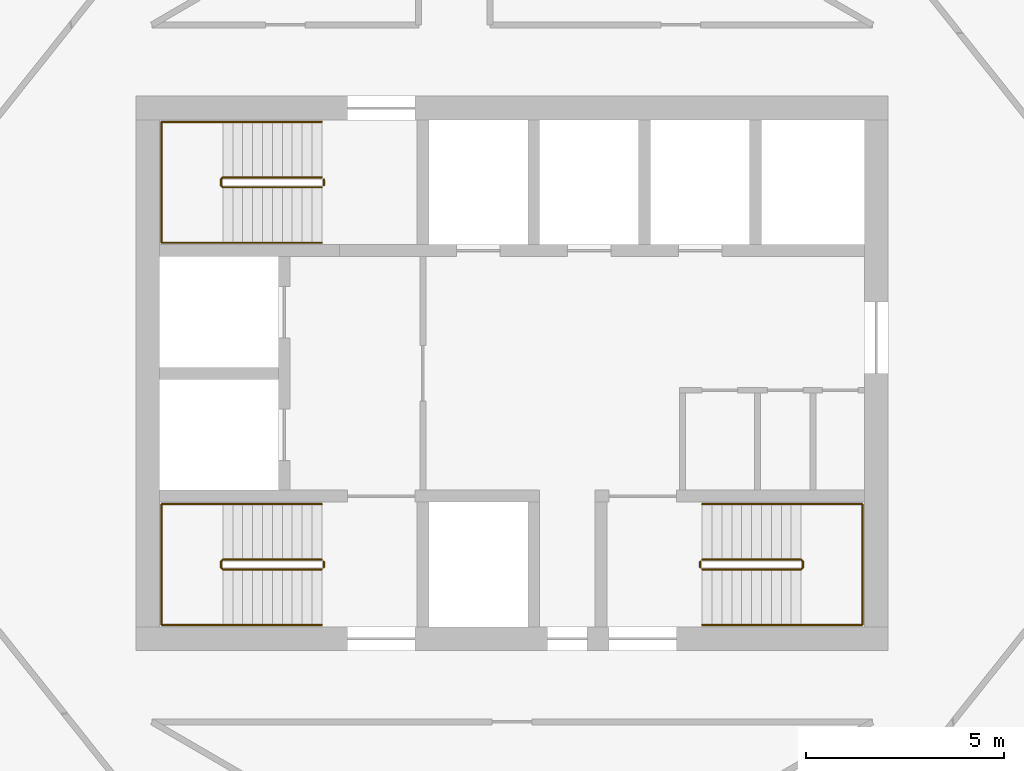
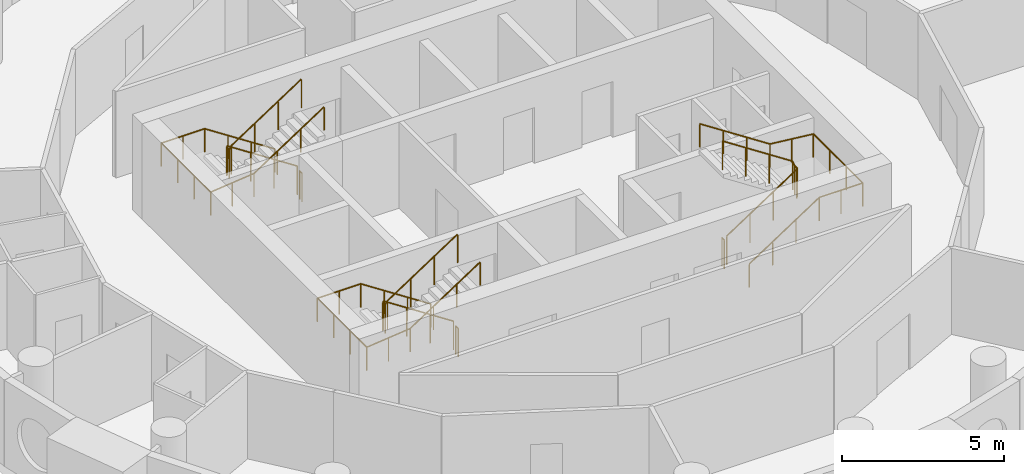
# One storey, part 12 of 12: 9 railings.
"""IFC4 building model written with IfcOpenShell, lengths in metres."""

from ifc_helpers import new_model, si_unit, direction, frame, origin, origin_2d, place, context, subcontext, project, spatial, circle, extrude, material, type_object, element, save


model = new_model("IFC4")

# Units and contexts
model_context = context("Model", 3, precision=1e-05, world=origin(), true_north=direction((0.0, 1.0)))
body_context = subcontext(model_context, "Body", "Model", "MODEL_VIEW")
ifc_project = project(units=[si_unit("LENGTHUNIT", "METRE"), si_unit("AREAUNIT", "SQUARE_METRE"), si_unit("VOLUMEUNIT", "CUBIC_METRE"), si_unit("PLANEANGLEUNIT", "RADIAN"), si_unit("MASSUNIT", "GRAM", prefix="KILO")], contexts=[model_context])

# Site, building, storey
site_placement = place(None, origin())
site = spatial("IfcSite", under=ifc_project, at=site_placement, CompositionType="ELEMENT")
building_placement = place(site_placement, origin())
building = spatial("IfcBuilding", under=site, at=building_placement, Name="Tracery Tower", CompositionType="ELEMENT")
storey_placement = place(building_placement, frame((0.0, 0.0, 245.39990234375)))
storey = spatial("IfcBuildingStorey", under=building, at=storey_placement, Name="L63", CompositionType="ELEMENT", Elevation=245.39990234375)

# Railings
ifc_material_1 = material(Name="Stainless steel and laminated glass", Category="steel")
railing_type_1 = type_object("IfcRailingType", Name="Stair guard 1100", PredefinedType="GUARDRAIL", material=ifc_material_1)
railing_1_placement = place(storey_placement, frame((-4.800048828125, -4.699951171875, 0.163818359375)))
element("IfcRailing", 1, at=railing_1_placement, inside=storey, type_object=railing_type_1, Name="L63 stair ST1 guard 1", PredefinedType="GUARDRAIL", context=body_context, shape_type="SweptSolid", body=[
    extrude(circle(Radius=0.02392578125, at=origin_2d()), frame((0.0, 0.0, 1.076171875), z_axis=(-0.836721939367, 0.0, 0.547627972425), x_axis=(0.0, -1.0, 0.0)), (0.0, 0.0, 1.0), 2.98779296875),
    extrude(circle(Radius=0.02392578125, at=origin_2d()), frame((-2.5, 0.0, 2.71240234375), z_axis=(-0.707106781187, -0.707106781187, 0.0), x_axis=(0.707106781187, -0.707106781187, 0.0)), (0.0, 0.0, 1.0), 0.07080078125),
    extrude(circle(Radius=0.02392578125, at=origin_2d()), frame((-2.550048828125, -0.050048828125, 2.71240234375), z_axis=(0.0, -1.0, 0.0), x_axis=(1.0, 0.0, 0.0)), (0.0, 0.0, 1.0), 0.14990234375),
    extrude(circle(Radius=0.02392578125, at=origin_2d()), frame((-2.550048828125, -0.199951171875, 2.71240234375), z_axis=(0.280808744504, -0.280808744504, 0.917765164963), x_axis=(0.707106781187, 0.707106781187, 0.0)), (0.0, 0.0, 1.0), 0.17822265625),
    extrude(circle(Radius=0.02392578125, at=origin_2d()), frame((-2.5, -0.25, 2.8759765625), z_axis=(0.83668449804, 0.0, 0.54768517484), x_axis=(0.0, 1.0, 0.0)), (0.0, 0.0, 1.0), 2.988037109375),
    extrude(circle(Radius=0.02099609375, at=origin_2d()), origin(), (0.0, 0.0, 1.0), 1.052001953125),
    extrude(circle(Radius=0.02099609375, at=origin_2d()), frame((-0.833251953125, 0.0, 0.54541015625)), (0.0, 0.0, 1.0), 1.052001953125),
    extrude(circle(Radius=0.02099609375, at=origin_2d()), frame((-1.666748046875, 0.0, 1.0908203125)), (0.0, 0.0, 1.0), 1.052001953125),
    extrude(circle(Radius=0.02099609375, at=origin_2d()), frame((-2.5, 0.0, 1.63623046875)), (0.0, 0.0, 1.0), 1.052001953125),
    extrude(circle(Radius=0.02099609375, at=origin_2d()), frame((-2.550048828125, -0.050048828125, 1.63623046875)), (0.0, 0.0, 1.0), 1.052001953125),
    extrude(circle(Radius=0.02099609375, at=origin_2d()), frame((-2.550048828125, -0.199951171875, 1.63623046875)), (0.0, 0.0, 1.0), 1.052001953125),
    extrude(circle(Radius=0.02099609375, at=origin_2d()), frame((-2.5, -0.25, 1.7998046875)), (0.0, 0.0, 1.0), 1.052001953125),
    extrude(circle(Radius=0.02099609375, at=origin_2d()), frame((-1.666748046875, -0.25, 2.34521484375)), (0.0, 0.0, 1.0), 1.052001953125),
    extrude(circle(Radius=0.02099609375, at=origin_2d()), frame((-0.833251953125, -0.25, 2.890869140625)), (0.0, 0.0, 1.0), 1.052001953125),
    extrude(circle(Radius=0.02099609375, at=origin_2d()), frame((0.0, -0.25, 3.436279296875)), (0.0, 0.0, 1.0), 1.052001953125),
])
railing_2_placement = place(storey_placement, frame((-4.75, -4.75, 0.0)))
element("IfcRailing", 2, at=railing_2_placement, inside=storey, type_object=railing_type_1, Name="L63 stair ST1 guard 2", PredefinedType="GUARDRAIL", context=body_context, shape_type="SweptSolid", body=[
    extrude(circle(Radius=0.02392578125, at=origin_2d()), frame((0.0, 0.0, 1.076171875), z_axis=(0.0, -1.0, 0.0), x_axis=(1.0, 0.0, 0.0)), (0.0, 0.0, 1.0), 0.14990234375),
    extrude(circle(Radius=0.02099609375, at=origin_2d()), origin(), (0.0, 0.0, 1.0), 1.052001953125),
    extrude(circle(Radius=0.02099609375, at=origin_2d()), frame((0.0, -0.14990234375, 0.0)), (0.0, 0.0, 1.0), 1.052001953125),
])
railing_3_placement = place(storey_placement, frame((-4.800048828125, 4.949951171875, 0.163818359375)))
element("IfcRailing", 3, at=railing_3_placement, inside=storey, type_object=railing_type_1, Name="L63 stair ST3 guard 1", PredefinedType="GUARDRAIL", context=body_context, shape_type="SweptSolid", body=[
    extrude(circle(Radius=0.02392578125, at=origin_2d()), frame((0.0, 0.0, 1.076171875), z_axis=(-0.836721939367, 0.0, 0.547627972425), x_axis=(0.0, -1.0, 0.0)), (0.0, 0.0, 1.0), 2.98779296875),
    extrude(circle(Radius=0.02392578125, at=origin_2d()), frame((-2.5, 0.0, 2.71240234375), z_axis=(-0.707106781187, -0.707106781187, 0.0), x_axis=(0.707106781187, -0.707106781187, 0.0)), (0.0, 0.0, 1.0), 0.07080078125),
    extrude(circle(Radius=0.02392578125, at=origin_2d()), frame((-2.550048828125, -0.050048828125, 2.71240234375), z_axis=(0.0, -1.0, 0.0), x_axis=(1.0, 0.0, 0.0)), (0.0, 0.0, 1.0), 0.14990234375),
    extrude(circle(Radius=0.02392578125, at=origin_2d()), frame((-2.550048828125, -0.199951171875, 2.71240234375), z_axis=(0.280808744504, -0.280808744504, 0.917765164963), x_axis=(0.707106781187, 0.707106781187, 0.0)), (0.0, 0.0, 1.0), 0.17822265625),
    extrude(circle(Radius=0.02392578125, at=origin_2d()), frame((-2.5, -0.25, 2.8759765625), z_axis=(0.83668449804, 0.0, 0.54768517484), x_axis=(0.0, 1.0, 0.0)), (0.0, 0.0, 1.0), 2.988037109375),
    extrude(circle(Radius=0.02099609375, at=origin_2d()), origin(), (0.0, 0.0, 1.0), 1.052001953125),
    extrude(circle(Radius=0.02099609375, at=origin_2d()), frame((-0.833251953125, 0.0, 0.54541015625)), (0.0, 0.0, 1.0), 1.052001953125),
    extrude(circle(Radius=0.02099609375, at=origin_2d()), frame((-1.666748046875, 0.0, 1.0908203125)), (0.0, 0.0, 1.0), 1.052001953125),
    extrude(circle(Radius=0.02099609375, at=origin_2d()), frame((-2.5, 0.0, 1.63623046875)), (0.0, 0.0, 1.0), 1.052001953125),
    extrude(circle(Radius=0.02099609375, at=origin_2d()), frame((-2.550048828125, -0.050048828125, 1.63623046875)), (0.0, 0.0, 1.0), 1.052001953125),
    extrude(circle(Radius=0.02099609375, at=origin_2d()), frame((-2.550048828125, -0.199951171875, 1.63623046875)), (0.0, 0.0, 1.0), 1.052001953125),
    extrude(circle(Radius=0.02099609375, at=origin_2d()), frame((-2.5, -0.25, 1.7998046875)), (0.0, 0.0, 1.0), 1.052001953125),
    extrude(circle(Radius=0.02099609375, at=origin_2d()), frame((-1.666748046875, -0.25, 2.34521484375)), (0.0, 0.0, 1.0), 1.052001953125),
    extrude(circle(Radius=0.02099609375, at=origin_2d()), frame((-0.833251953125, -0.25, 2.890869140625)), (0.0, 0.0, 1.0), 1.052001953125),
    extrude(circle(Radius=0.02099609375, at=origin_2d()), frame((0.0, -0.25, 3.436279296875)), (0.0, 0.0, 1.0), 1.052001953125),
])
railing_4_placement = place(storey_placement, frame((-4.75, 4.89990234375, 0.0)))
element("IfcRailing", 4, at=railing_4_placement, inside=storey, type_object=railing_type_1, Name="L63 stair ST3 guard 2", PredefinedType="GUARDRAIL", context=body_context, shape_type="SweptSolid", body=[
    extrude(circle(Radius=0.02392578125, at=origin_2d()), frame((0.0, 0.0, 1.076171875), z_axis=(0.0, -1.0, 0.0), x_axis=(1.0, 0.0, 0.0)), (0.0, 0.0, 1.0), 0.14990234375),
    extrude(circle(Radius=0.02099609375, at=origin_2d()), origin(), (0.0, 0.0, 1.0), 1.052001953125),
    extrude(circle(Radius=0.02099609375, at=origin_2d()), frame((0.0, -0.14990234375, 0.0)), (0.0, 0.0, 1.0), 1.052001953125),
])
railing_5_placement = place(storey_placement, frame((4.800048828125, -4.949951171875, 0.163818359375)))
element("IfcRailing", 5, at=railing_5_placement, inside=storey, type_object=railing_type_1, Name="L63 stair ST2 guard 1", PredefinedType="GUARDRAIL", context=body_context, shape_type="SweptSolid", body=[
    extrude(circle(Radius=0.02392578125, at=origin_2d()), frame((0.0, 0.0, 1.076171875), z_axis=(0.836721939367, 0.0, 0.547627972425), x_axis=(0.0, 1.0, 0.0)), (0.0, 0.0, 1.0), 2.98779296875),
    extrude(circle(Radius=0.02392578125, at=origin_2d()), frame((2.5, 0.0, 2.71240234375), z_axis=(0.707106781187, 0.707106781187, 0.0), x_axis=(-0.707106781187, 0.707106781187, 0.0)), (0.0, 0.0, 1.0), 0.07080078125),
    extrude(circle(Radius=0.02392578125, at=origin_2d()), frame((2.550048828125, 0.050048828125, 2.71240234375), z_axis=(0.0, 1.0, 0.0), x_axis=(-1.0, 0.0, 0.0)), (0.0, 0.0, 1.0), 0.14990234375),
    extrude(circle(Radius=0.02392578125, at=origin_2d()), frame((2.550048828125, 0.199951171875, 2.71240234375), z_axis=(-0.280808744504, 0.280808744504, 0.917765164963), x_axis=(-0.707106781187, -0.707106781187, 0.0)), (0.0, 0.0, 1.0), 0.17822265625),
    extrude(circle(Radius=0.02392578125, at=origin_2d()), frame((2.5, 0.25, 2.8759765625), z_axis=(-0.83668449804, 0.0, 0.54768517484), x_axis=(0.0, -1.0, 0.0)), (0.0, 0.0, 1.0), 2.988037109375),
    extrude(circle(Radius=0.02099609375, at=origin_2d()), origin(), (0.0, 0.0, 1.0), 1.052001953125),
    extrude(circle(Radius=0.02099609375, at=origin_2d()), frame((0.833251953125, 0.0, 0.54541015625)), (0.0, 0.0, 1.0), 1.052001953125),
    extrude(circle(Radius=0.02099609375, at=origin_2d()), frame((1.666748046875, 0.0, 1.0908203125)), (0.0, 0.0, 1.0), 1.052001953125),
    extrude(circle(Radius=0.02099609375, at=origin_2d()), frame((2.5, 0.0, 1.63623046875)), (0.0, 0.0, 1.0), 1.052001953125),
    extrude(circle(Radius=0.02099609375, at=origin_2d()), frame((2.550048828125, 0.050048828125, 1.63623046875)), (0.0, 0.0, 1.0), 1.052001953125),
    extrude(circle(Radius=0.02099609375, at=origin_2d()), frame((2.550048828125, 0.199951171875, 1.63623046875)), (0.0, 0.0, 1.0), 1.052001953125),
    extrude(circle(Radius=0.02099609375, at=origin_2d()), frame((2.5, 0.25, 1.7998046875)), (0.0, 0.0, 1.0), 1.052001953125),
    extrude(circle(Radius=0.02099609375, at=origin_2d()), frame((1.666748046875, 0.25, 2.34521484375)), (0.0, 0.0, 1.0), 1.052001953125),
    extrude(circle(Radius=0.02099609375, at=origin_2d()), frame((0.833251953125, 0.25, 2.890869140625)), (0.0, 0.0, 1.0), 1.052001953125),
    extrude(circle(Radius=0.02099609375, at=origin_2d()), frame((0.0, 0.25, 3.436279296875)), (0.0, 0.0, 1.0), 1.052001953125),
])
railing_6_placement = place(storey_placement, frame((4.75, -4.89990234375, 0.0)))
element("IfcRailing", 6, at=railing_6_placement, inside=storey, type_object=railing_type_1, Name="L63 stair ST2 guard 2", PredefinedType="GUARDRAIL", context=body_context, shape_type="SweptSolid", body=[
    extrude(circle(Radius=0.02392578125, at=origin_2d()), frame((0.0, 0.0, 1.076171875), z_axis=(0.0, 1.0, 0.0), x_axis=(-1.0, 0.0, 0.0)), (0.0, 0.0, 1.0), 0.14990234375),
    extrude(circle(Radius=0.02099609375, at=origin_2d()), origin(), (0.0, 0.0, 1.0), 1.052001953125),
    extrude(circle(Radius=0.02099609375, at=origin_2d()), frame((0.0, 0.14990234375, 0.0)), (0.0, 0.0, 1.0), 1.052001953125),
])
ifc_material_2 = material(Name="Stainless steel and laminated glass", Category="steel")
railing_type_2 = type_object("IfcRailingType", Name="Stair handrail 900", PredefinedType="HANDRAIL", material=ifc_material_2)
railing_7_placement = place(storey_placement, frame((-4.800048828125, -3.300048828125, 0.163818359375)))
element("IfcRailing", 7, at=railing_7_placement, inside=storey, type_object=railing_type_2, Name="L63 stair ST1 handrail 1", PredefinedType="HANDRAIL", context=body_context, shape_type="SweptSolid", body=[
    extrude(circle(Radius=0.02392578125, at=origin_2d()), frame((0.0, 0.0, 0.8759765625), z_axis=(-0.836721939367, 0.0, 0.547627972425), x_axis=(0.0, -1.0, 0.0)), (0.0, 0.0, 1.0), 2.98779296875),
    extrude(circle(Radius=0.02392578125, at=origin_2d()), frame((-2.5, 0.0, 2.51220703125), z_axis=(-1.0, 0.0, 0.0), x_axis=(0.0, -1.0, 0.0)), (0.0, 0.0, 1.0), 1.550048828125),
    extrude(circle(Radius=0.02392578125, at=origin_2d()), frame((-4.050048828125, 0.0, 2.51220703125), z_axis=(0.0, -1.0, 0.0), x_axis=(1.0, 0.0, 0.0)), (0.0, 0.0, 1.0), 3.050048828125),
    extrude(circle(Radius=0.02392578125, at=origin_2d()), frame((-4.050048828125, -3.050048828125, 2.51220703125), z_axis=(0.994477953863, 0.0, 0.104945696817), x_axis=(0.0, 1.0, 0.0)), (0.0, 0.0, 1.0), 1.55859375),
    extrude(circle(Radius=0.02392578125, at=origin_2d()), frame((-2.5, -3.050048828125, 2.67578125), z_axis=(0.83668449804, 0.0, 0.54768517484), x_axis=(0.0, 1.0, 0.0)), (0.0, 0.0, 1.0), 2.988037109375),
    extrude(circle(Radius=0.02099609375, at=origin_2d()), origin(), (0.0, 0.0, 1.0), 0.851806640625),
    extrude(circle(Radius=0.02099609375, at=origin_2d()), frame((-0.833251953125, 0.0, 0.54541015625)), (0.0, 0.0, 1.0), 0.851806640625),
    extrude(circle(Radius=0.02099609375, at=origin_2d()), frame((-1.666748046875, 0.0, 1.0908203125)), (0.0, 0.0, 1.0), 0.851806640625),
    extrude(circle(Radius=0.02099609375, at=origin_2d()), frame((-2.5, 0.0, 1.63623046875)), (0.0, 0.0, 1.0), 0.851806640625),
    extrude(circle(Radius=0.02099609375, at=origin_2d()), frame((-3.27490234375, 0.0, 1.63623046875)), (0.0, 0.0, 1.0), 0.851806640625),
    extrude(circle(Radius=0.02099609375, at=origin_2d()), frame((-4.050048828125, 0.0, 1.63623046875)), (0.0, 0.0, 1.0), 0.851806640625),
    extrude(circle(Radius=0.02099609375, at=origin_2d()), frame((-4.050048828125, -1.0166015625, 1.63623046875)), (0.0, 0.0, 1.0), 0.851806640625),
    extrude(circle(Radius=0.02099609375, at=origin_2d()), frame((-4.050048828125, -2.033447265625, 1.63623046875)), (0.0, 0.0, 1.0), 0.851806640625),
    extrude(circle(Radius=0.02099609375, at=origin_2d()), frame((-4.050048828125, -3.050048828125, 1.63623046875)), (0.0, 0.0, 1.0), 0.851806640625),
    extrude(circle(Radius=0.02099609375, at=origin_2d()), frame((-3.27490234375, -3.050048828125, 1.718017578125)), (0.0, 0.0, 1.0), 0.851806640625),
    extrude(circle(Radius=0.02099609375, at=origin_2d()), frame((-2.5, -3.050048828125, 1.7998046875)), (0.0, 0.0, 1.0), 0.851806640625),
    extrude(circle(Radius=0.02099609375, at=origin_2d()), frame((-1.666748046875, -3.050048828125, 2.34521484375)), (0.0, 0.0, 1.0), 0.851806640625),
    extrude(circle(Radius=0.02099609375, at=origin_2d()), frame((-0.833251953125, -3.050048828125, 2.890869140625)), (0.0, 0.0, 1.0), 0.851806640625),
    extrude(circle(Radius=0.02099609375, at=origin_2d()), frame((0.0, -3.050048828125, 3.436279296875)), (0.0, 0.0, 1.0), 0.851806640625),
])
railing_8_placement = place(storey_placement, frame((-4.800048828125, 6.35009765625, 0.163818359375)))
element("IfcRailing", 8, at=railing_8_placement, inside=storey, type_object=railing_type_2, Name="L63 stair ST3 handrail 1", PredefinedType="HANDRAIL", context=body_context, shape_type="SweptSolid", body=[
    extrude(circle(Radius=0.02392578125, at=origin_2d()), frame((0.0, 0.0, 0.8759765625), z_axis=(-0.836721939367, 0.0, 0.547627972425), x_axis=(0.0, -1.0, 0.0)), (0.0, 0.0, 1.0), 2.98779296875),
    extrude(circle(Radius=0.02392578125, at=origin_2d()), frame((-2.5, 0.0, 2.51220703125), z_axis=(-1.0, 0.0, 0.0), x_axis=(0.0, -1.0, 0.0)), (0.0, 0.0, 1.0), 1.550048828125),
    extrude(circle(Radius=0.02392578125, at=origin_2d()), frame((-4.050048828125, 0.0, 2.51220703125), z_axis=(0.0, -1.0, 0.0), x_axis=(1.0, 0.0, 0.0)), (0.0, 0.0, 1.0), 3.050048828125),
    extrude(circle(Radius=0.02392578125, at=origin_2d()), frame((-4.050048828125, -3.050048828125, 2.51220703125), z_axis=(0.994477953863, 0.0, 0.104945696817), x_axis=(0.0, 1.0, 0.0)), (0.0, 0.0, 1.0), 1.55859375),
    extrude(circle(Radius=0.02392578125, at=origin_2d()), frame((-2.5, -3.050048828125, 2.67578125), z_axis=(0.83668449804, 0.0, 0.54768517484), x_axis=(0.0, 1.0, 0.0)), (0.0, 0.0, 1.0), 2.988037109375),
    extrude(circle(Radius=0.02099609375, at=origin_2d()), origin(), (0.0, 0.0, 1.0), 0.851806640625),
    extrude(circle(Radius=0.02099609375, at=origin_2d()), frame((-0.833251953125, 0.0, 0.54541015625)), (0.0, 0.0, 1.0), 0.851806640625),
    extrude(circle(Radius=0.02099609375, at=origin_2d()), frame((-1.666748046875, 0.0, 1.0908203125)), (0.0, 0.0, 1.0), 0.851806640625),
    extrude(circle(Radius=0.02099609375, at=origin_2d()), frame((-2.5, 0.0, 1.63623046875)), (0.0, 0.0, 1.0), 0.851806640625),
    extrude(circle(Radius=0.02099609375, at=origin_2d()), frame((-3.27490234375, 0.0, 1.63623046875)), (0.0, 0.0, 1.0), 0.851806640625),
    extrude(circle(Radius=0.02099609375, at=origin_2d()), frame((-4.050048828125, 0.0, 1.63623046875)), (0.0, 0.0, 1.0), 0.851806640625),
    extrude(circle(Radius=0.02099609375, at=origin_2d()), frame((-4.050048828125, -1.0166015625, 1.63623046875)), (0.0, 0.0, 1.0), 0.851806640625),
    extrude(circle(Radius=0.02099609375, at=origin_2d()), frame((-4.050048828125, -2.033447265625, 1.63623046875)), (0.0, 0.0, 1.0), 0.851806640625),
    extrude(circle(Radius=0.02099609375, at=origin_2d()), frame((-4.050048828125, -3.050048828125, 1.63623046875)), (0.0, 0.0, 1.0), 0.851806640625),
    extrude(circle(Radius=0.02099609375, at=origin_2d()), frame((-3.27490234375, -3.050048828125, 1.718017578125)), (0.0, 0.0, 1.0), 0.851806640625),
    extrude(circle(Radius=0.02099609375, at=origin_2d()), frame((-2.5, -3.050048828125, 1.7998046875)), (0.0, 0.0, 1.0), 0.851806640625),
    extrude(circle(Radius=0.02099609375, at=origin_2d()), frame((-1.666748046875, -3.050048828125, 2.34521484375)), (0.0, 0.0, 1.0), 0.851806640625),
    extrude(circle(Radius=0.02099609375, at=origin_2d()), frame((-0.833251953125, -3.050048828125, 2.890869140625)), (0.0, 0.0, 1.0), 0.851806640625),
    extrude(circle(Radius=0.02099609375, at=origin_2d()), frame((0.0, -3.050048828125, 3.436279296875)), (0.0, 0.0, 1.0), 0.851806640625),
])
railing_9_placement = place(storey_placement, frame((4.800048828125, -6.35009765625, 0.163818359375)))
element("IfcRailing", 9, at=railing_9_placement, inside=storey, type_object=railing_type_2, Name="L63 stair ST2 handrail 1", PredefinedType="HANDRAIL", context=body_context, shape_type="SweptSolid", body=[
    extrude(circle(Radius=0.02392578125, at=origin_2d()), frame((0.0, 0.0, 0.8759765625), z_axis=(0.836721939367, 0.0, 0.547627972425), x_axis=(0.0, 1.0, 0.0)), (0.0, 0.0, 1.0), 2.98779296875),
    extrude(circle(Radius=0.02392578125, at=origin_2d()), frame((2.5, 0.0, 2.51220703125), z_axis=(1.0, 0.0, 0.0), x_axis=(0.0, 1.0, 0.0)), (0.0, 0.0, 1.0), 1.550048828125),
    extrude(circle(Radius=0.02392578125, at=origin_2d()), frame((4.050048828125, 0.0, 2.51220703125), z_axis=(0.0, 1.0, 0.0), x_axis=(-1.0, 0.0, 0.0)), (0.0, 0.0, 1.0), 3.050048828125),
    extrude(circle(Radius=0.02392578125, at=origin_2d()), frame((4.050048828125, 3.050048828125, 2.51220703125), z_axis=(-0.994477953863, 0.0, 0.104945696817), x_axis=(0.0, -1.0, 0.0)), (0.0, 0.0, 1.0), 1.55859375),
    extrude(circle(Radius=0.02392578125, at=origin_2d()), frame((2.5, 3.050048828125, 2.67578125), z_axis=(-0.83668449804, 0.0, 0.54768517484), x_axis=(0.0, -1.0, 0.0)), (0.0, 0.0, 1.0), 2.988037109375),
    extrude(circle(Radius=0.02099609375, at=origin_2d()), origin(), (0.0, 0.0, 1.0), 0.851806640625),
    extrude(circle(Radius=0.02099609375, at=origin_2d()), frame((0.833251953125, 0.0, 0.54541015625)), (0.0, 0.0, 1.0), 0.851806640625),
    extrude(circle(Radius=0.02099609375, at=origin_2d()), frame((1.666748046875, 0.0, 1.0908203125)), (0.0, 0.0, 1.0), 0.851806640625),
    extrude(circle(Radius=0.02099609375, at=origin_2d()), frame((2.5, 0.0, 1.63623046875)), (0.0, 0.0, 1.0), 0.851806640625),
    extrude(circle(Radius=0.02099609375, at=origin_2d()), frame((3.27490234375, 0.0, 1.63623046875)), (0.0, 0.0, 1.0), 0.851806640625),
    extrude(circle(Radius=0.02099609375, at=origin_2d()), frame((4.050048828125, 0.0, 1.63623046875)), (0.0, 0.0, 1.0), 0.851806640625),
    extrude(circle(Radius=0.02099609375, at=origin_2d()), frame((4.050048828125, 1.0166015625, 1.63623046875)), (0.0, 0.0, 1.0), 0.851806640625),
    extrude(circle(Radius=0.02099609375, at=origin_2d()), frame((4.050048828125, 2.033447265625, 1.63623046875)), (0.0, 0.0, 1.0), 0.851806640625),
    extrude(circle(Radius=0.02099609375, at=origin_2d()), frame((4.050048828125, 3.050048828125, 1.63623046875)), (0.0, 0.0, 1.0), 0.851806640625),
    extrude(circle(Radius=0.02099609375, at=origin_2d()), frame((3.27490234375, 3.050048828125, 1.718017578125)), (0.0, 0.0, 1.0), 0.851806640625),
    extrude(circle(Radius=0.02099609375, at=origin_2d()), frame((2.5, 3.050048828125, 1.7998046875)), (0.0, 0.0, 1.0), 0.851806640625),
    extrude(circle(Radius=0.02099609375, at=origin_2d()), frame((1.666748046875, 3.050048828125, 2.34521484375)), (0.0, 0.0, 1.0), 0.851806640625),
    extrude(circle(Radius=0.02099609375, at=origin_2d()), frame((0.833251953125, 3.050048828125, 2.890869140625)), (0.0, 0.0, 1.0), 0.851806640625),
    extrude(circle(Radius=0.02099609375, at=origin_2d()), frame((0.0, 3.050048828125, 3.436279296875)), (0.0, 0.0, 1.0), 0.851806640625),
])

save(model, "model.ifc")
